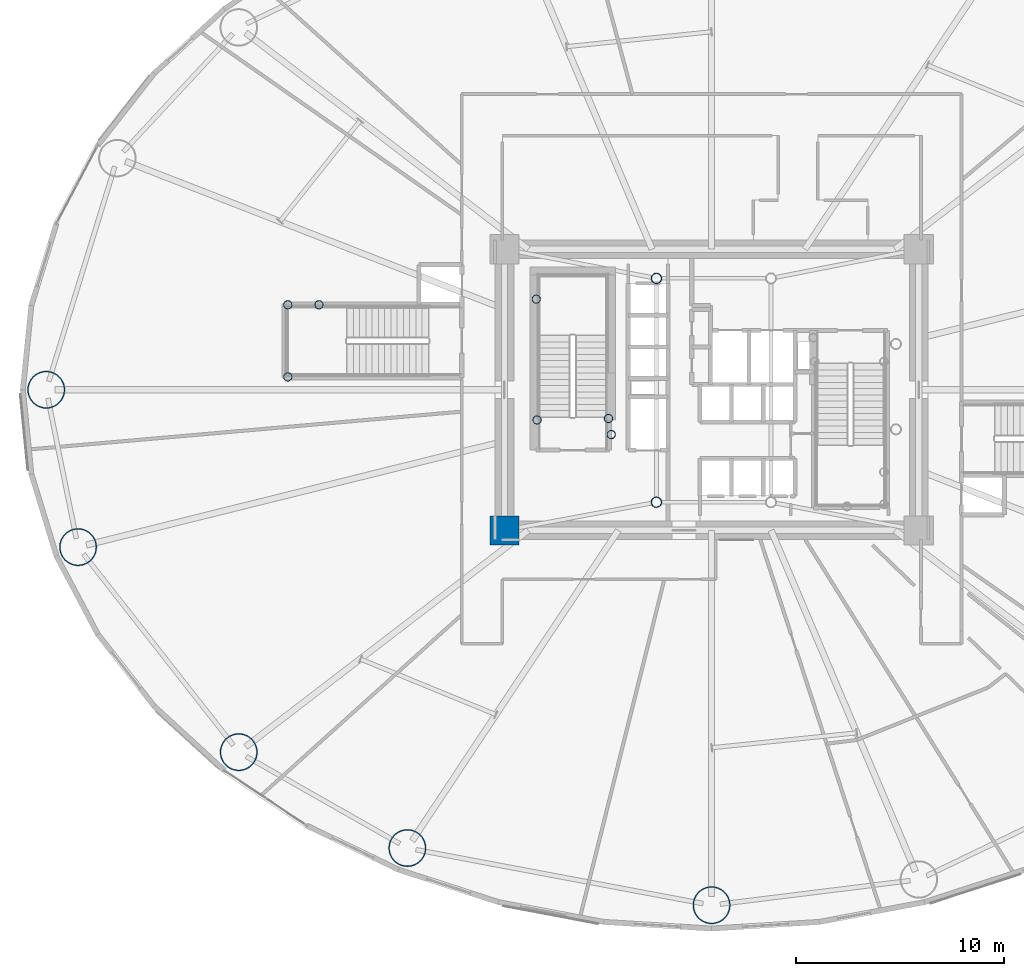
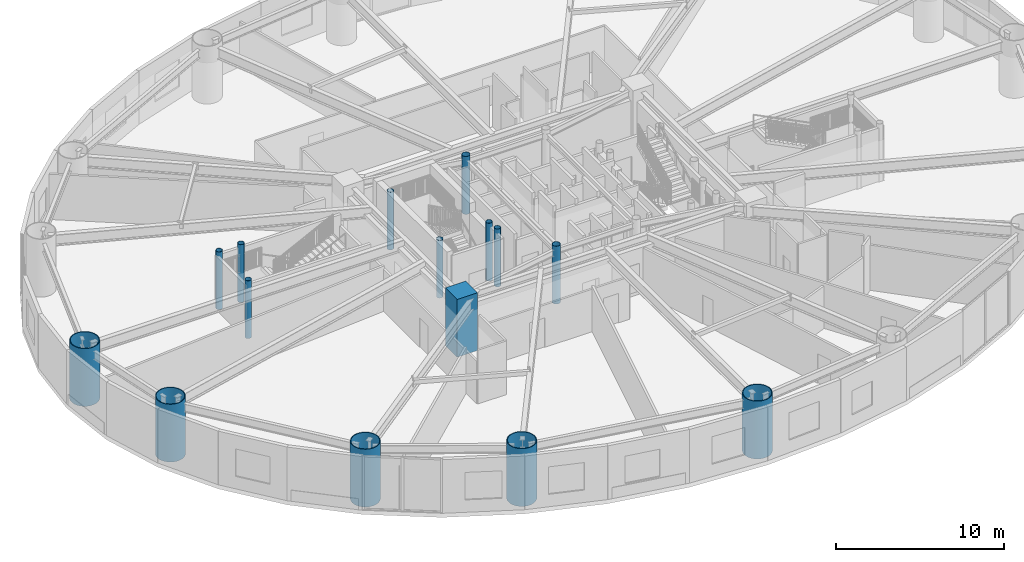
# One storey, part 1 of 30: 15 columns.
"""IFC4 building model written with IfcOpenShell, lengths in metres."""

from ifc_helpers import new_model, si_unit, direction, frame, origin, origin_2d, place, context, subcontext, project, spatial, rectangle, hollow_circle, extrude, material, material_profile, profile_set, type_object, element, save


model = new_model("IFC4")

# Units and contexts
model_context = context("Model", 3, precision=1e-05, world=origin(), true_north=direction((0.0, 1.0)))
body_context = subcontext(model_context, "Body", "Model", "MODEL_VIEW")
ifc_project = project(units=[si_unit("LENGTHUNIT", "METRE"), si_unit("AREAUNIT", "SQUARE_METRE"), si_unit("VOLUMEUNIT", "CUBIC_METRE"), si_unit("PLANEANGLEUNIT", "RADIAN"), si_unit("MASSUNIT", "GRAM", prefix="KILO")], contexts=[model_context])

# Site, building, storey
site_placement = place(None, origin())
site = spatial("IfcSite", under=ifc_project, at=site_placement, CompositionType="ELEMENT")
building_placement = place(site_placement, origin())
building = spatial("IfcBuilding", under=site, at=building_placement, Name="Linh Dai School and Residence Tower", CompositionType="ELEMENT")
storey_placement = place(building_placement, frame((0.0, 0.0, 10.199951171875)))
storey = spatial("IfcBuildingStorey", under=building, at=storey_placement, Name="L02", CompositionType="ELEMENT", Elevation=10.199951171875)

# Columns
ifc_material_1 = material(Name="Concrete B60 (C50/60)", Category="concrete")
ifc_material_profile_1 = material_profile(ifc_material_1, rectangle(XDim=1.39990234375, YDim=1.39990234375, at=origin_2d()), Name="RC 1400x1400")
ifc_profile_set_1 = profile_set([ifc_material_profile_1], Name="Concrete B60 (C50/60)")
column_type_1 = type_object("IfcColumnType", Name="COL-CC1", PredefinedType="COLUMN", material=ifc_profile_set_1)
column_placement = place(storey_placement, frame((26.050048828125, 20.25, 0.0), z_axis=(0.0, 0.0, 1.0), x_axis=(1.0, 0.0, 0.0)))
element("IfcColumn", 1, at=column_placement, inside=storey, type_object=column_type_1, Name="L02 Core Corner Pier CC1", PredefinedType="COLUMN", context=body_context, shape_type="SweptSolid", body=[
    extrude(rectangle(XDim=1.39990234375, YDim=1.39990234375, at=origin_2d()), origin(), (0.0, 0.0, 1.0), 4.199951171875),
])
ifc_material_2 = material(Name="Structural Steel S355JR", Category="steel")
ifc_material_profile_2 = material_profile(ifc_material_2, hollow_circle(Radius=0.203125, WallThickness=0.01611328125, at=origin_2d()), Name="CHS 406.4x16")
ifc_profile_set_2 = profile_set([ifc_material_profile_2], Name="Structural Steel S355JR")
column_type_2 = type_object("IfcColumnType", Name="COL-EC", PredefinedType="COLUMN", material=ifc_profile_set_2)
for number, where, z_axis, x_axis, name in (
    (2, (27.580078125, 31.35009765625, 0.0), (0.0, 0.0, 1.0), (1.0, 0.0, 0.0), "L02 Stair Shaft Landing Support Pier ST1NW"),
    (3, (31.050048828125, 25.6201171875, 0.0), (0.0, 0.0, 1.0), (1.0, 0.0, 0.0), "L02 Stair Shaft Landing Support Pier ST1SE"),
    (4, (31.179931640625, 24.85009765625, 0.0), (0.0, 0.0, 1.0), (1.0, 0.0, 0.0), "L02 Stair Shaft Landing Support Pier ST1SM"),
    (5, (27.6201171875, 25.550048828125, 0.0), (0.0, 0.0, 1.0), (1.0, 0.0, 0.0), "L02 Stair Shaft Landing Support Pier ST1SW"),
    (6, (15.64990234375, 27.6201171875, 0.0), (0.0, 0.0, 1.0), (1.0, 0.0, 0.0), "L02 Stair Shaft Landing Support Pier STS1SW"),
    (7, (15.64990234375, 31.080078125, 0.0), (0.0, 0.0, 1.0), (1.0, 0.0, 0.0), "L02 Stair Shaft Landing Support Pier STS1NW"),
    (8, (17.14990234375, 31.080078125, 0.0), (0.0, 0.0, 1.0), (1.0, 0.0, 0.0), "L02 Stair Shaft Landing Support Pier STS1ME"),
):
    element("IfcColumn", number, at=place(storey_placement, frame(where, z_axis=z_axis, x_axis=x_axis)), inside=storey, type_object=column_type_2, Name=name, PredefinedType="COLUMN", context=body_context, shape_type="SweptSolid", body=[
        extrude(hollow_circle(Radius=0.203125, WallThickness=0.01611328125, at=origin_2d()), origin(), (0.0, 0.0, 1.0), 4.199951171875),
    ])
ifc_material_profile_3 = material_profile(ifc_material_2, hollow_circle(Radius=0.89990234375, WallThickness=0.050048828125, at=origin_2d()), Name="CHS 1800x50")
ifc_profile_set_3 = profile_set([ifc_material_profile_3], Name="Structural Steel S355JR")
column_type_3 = type_object("IfcColumnType", Name="COL-MC1", PredefinedType="COLUMN", material=ifc_profile_set_3)
for number, where, z_axis, x_axis, name in (
    (9, (4.050048828125, 27.0, 0.0), (0.0, 0.0, 1.0), (1.0, 0.0, 0.0), "L02 Perimeter CFT Mega-Column MC09"),
    (10, (5.57958984375, 19.444580078125, 0.0), (0.0, 0.0, 1.0), (1.0, 0.0, 0.0), "L02 Perimeter CFT Mega-Column MC10"),
    (11, (13.294677734375, 9.599365234375, 0.0), (0.0, 0.0, 1.0), (1.0, 0.0, 0.0), "L02 Perimeter CFT Mega-Column MC11"),
    (12, (21.390869140625, 4.994873046875, 0.0), (0.0, 0.0, 1.0), (1.0, 0.0, 0.0), "L02 Perimeter CFT Mega-Column MC12"),
    (13, (36.0, 2.25, 0.0), (0.0, 0.0, 1.0), (1.0, 0.0, 0.0), "L02 Perimeter CFT Mega-Column MC13"),
):
    element("IfcColumn", number, at=place(storey_placement, frame(where, z_axis=z_axis, x_axis=x_axis)), inside=storey, type_object=column_type_3, Name=name, PredefinedType="COLUMN", context=body_context, shape_type="SweptSolid", body=[
        extrude(hollow_circle(Radius=0.89990234375, WallThickness=0.050048828125, at=origin_2d()), origin(), (0.0, 0.0, 1.0), 4.199951171875),
    ])
ifc_material_profile_4 = material_profile(ifc_material_2, hollow_circle(Radius=0.25390625, WallThickness=0.02001953125, at=origin_2d()), Name="CHS 508x20")
ifc_profile_set_4 = profile_set([ifc_material_profile_4], Name="Structural Steel S355JR")
column_type_4 = type_object("IfcColumnType", Name="COL-MCP", PredefinedType="COLUMN", material=ifc_profile_set_4)
for number, where, z_axis, x_axis, name in (
    (14, (33.35009765625, 21.60009765625, 0.0), (0.0, 0.0, 1.0), (1.0, 0.0, 0.0), "L02 Core Mast Support Pier MCP1"),
    (15, (33.35009765625, 32.35009765625, 0.0), (0.0, 0.0, 1.0), (1.0, 0.0, 0.0), "L02 Core Mast Support Pier MCP4"),
):
    element("IfcColumn", number, at=place(storey_placement, frame(where, z_axis=z_axis, x_axis=x_axis)), inside=storey, type_object=column_type_4, Name=name, PredefinedType="COLUMN", context=body_context, shape_type="SweptSolid", body=[
        extrude(hollow_circle(Radius=0.25390625, WallThickness=0.02001953125, at=origin_2d()), origin(), (0.0, 0.0, 1.0), 4.199951171875),
    ])

save(model, "model.ifc")
